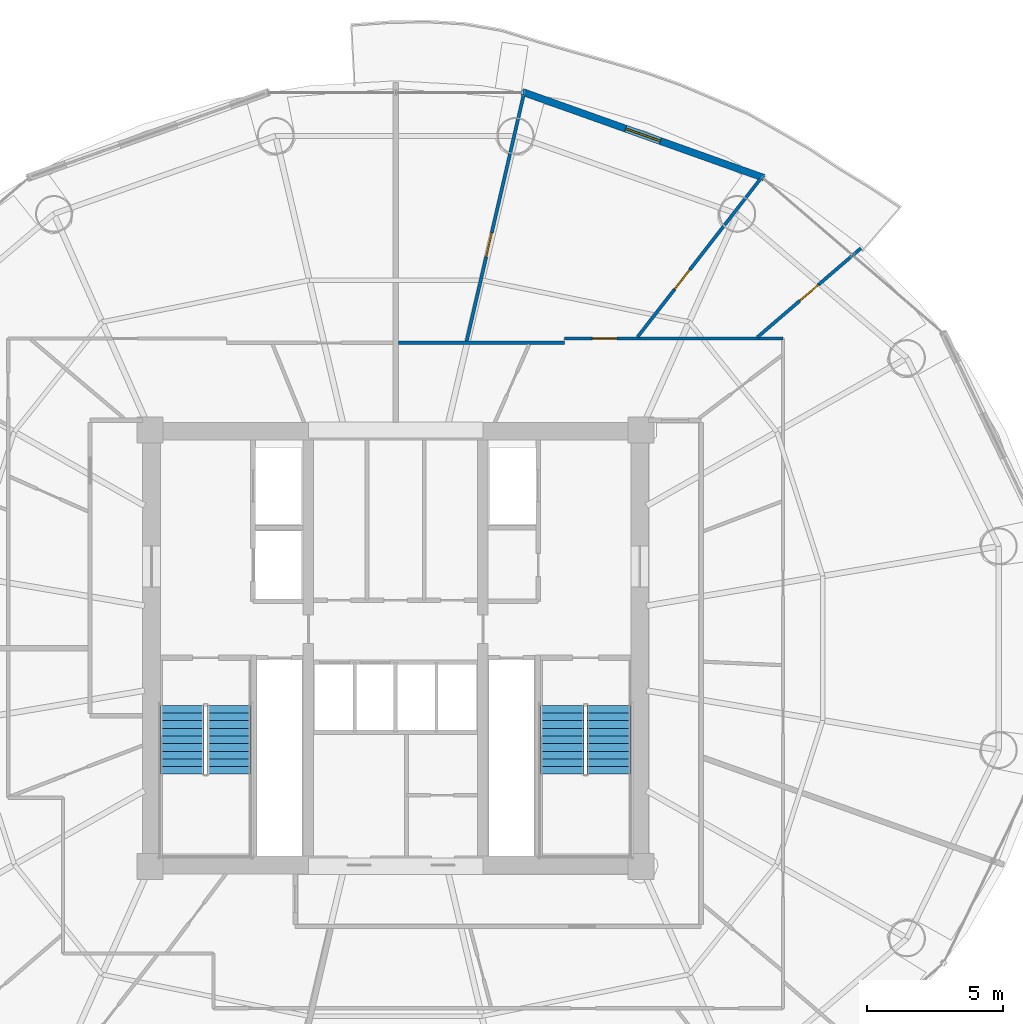
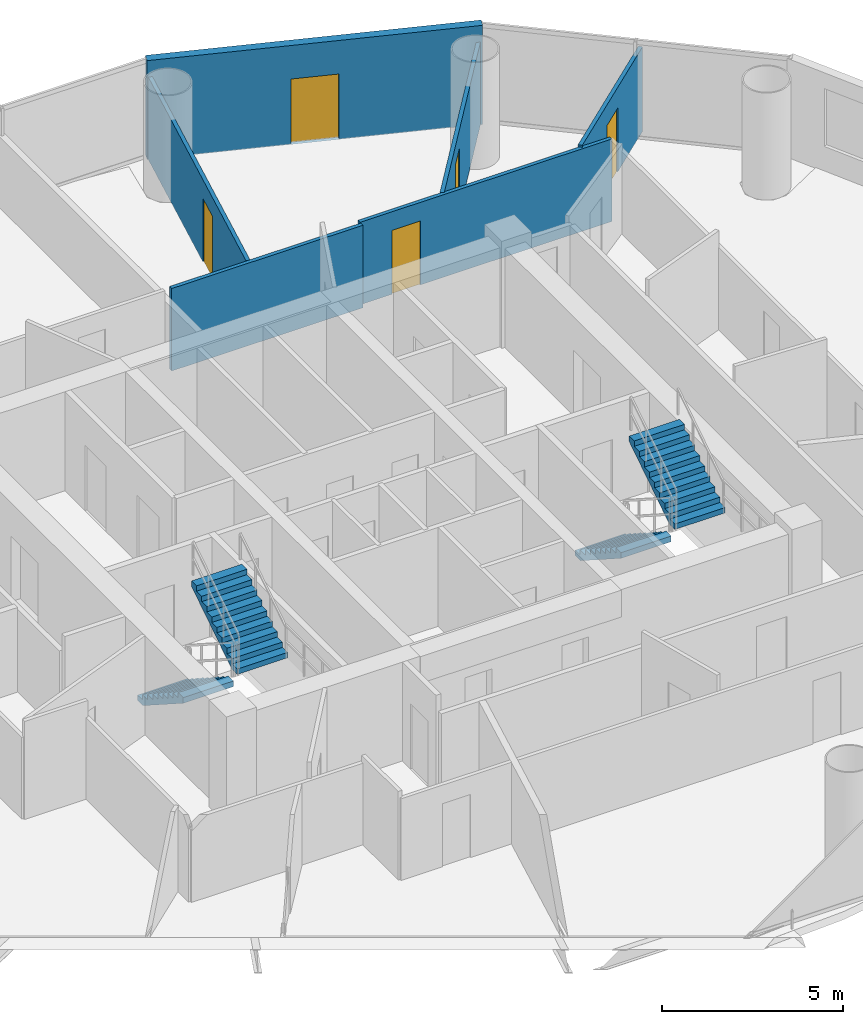
# One storey, part 23 of 26: 6 walls, 5 doors, 4 stair flights, 5 openings, 2 elements without a shape of their own.
"""IFC4 building model written with IfcOpenShell, lengths in metres."""

from ifc_helpers import new_model, si_unit, direction, frame, frame_2d, origin, place, context, subcontext, project, spatial, polyline, rectangle, outline, extrude, source, transform, mapped, material, layer, layer_set, type_object, element, fill, aggregate, save


model = new_model("IFC4")

# Units and contexts
model_context = context("Model", 3, precision=1e-05, world=origin(), true_north=direction((-0.2419218956, 0.970295726276)))
body_context = subcontext(model_context, "Body", "Model", "MODEL_VIEW")
ifc_project = project(units=[si_unit("LENGTHUNIT", "METRE"), si_unit("AREAUNIT", "SQUARE_METRE"), si_unit("VOLUMEUNIT", "CUBIC_METRE"), si_unit("PLANEANGLEUNIT", "RADIAN"), si_unit("MASSUNIT", "GRAM", prefix="KILO")], contexts=[model_context])

# Site, building, storey
site_placement = place(None, origin())
site = spatial("IfcSite", under=ifc_project, at=site_placement, CompositionType="ELEMENT")
building_placement = place(site_placement, origin())
building = spatial("IfcBuilding", under=site, at=building_placement, Name="Cobrevalo Terracotta Tower", CompositionType="ELEMENT")
storey_placement = place(building_placement, frame((0.0, 0.0, 178.60009765625)))
storey = spatial("IfcBuildingStorey", under=building, at=storey_placement, Name="L47", CompositionType="ELEMENT", Elevation=178.60009765625)

# Wall, opening, door
ifc_material_1 = material(Name="Autoclaved aerated concrete block", Category="concrete")
ifc_layer_1 = layer(ifc_material_1, 0.260009765625)
ifc_layer_set_1 = layer_set([ifc_layer_1], Name="Autoclaved aerated concrete block")
wall_type_1 = type_object("IfcWallType", Name="Recessed balcony loggia insulated exterior wall 260 mm", PredefinedType="SOLIDWALL", material=ifc_layer_set_1)
wall_1_placement = place(storey_placement, frame((51.50341796875, 44.042724609375, 0.0), z_axis=(0.0, 0.0, 1.0), x_axis=(-0.942095406405, 0.335344964522, 0.0)))
wall_1 = element("IfcWall", 1, at=wall_1_placement, inside=storey, type_object=wall_type_1, Name="L47 balcony loggia wall S03", PredefinedType="SOLIDWALL", context=body_context, shape_type="SweptSolid", body=[
    extrude(rectangle(XDim=9.408203125, YDim=0.260009765625, at=frame_2d((4.7041015625, 0.0))), origin(), (0.0, 0.0, 1.0), 3.329833984375),
])
opening_1_placement = place(wall_1_placement, frame((4.029052734375, 0.0, 0.0)))
opening_1 = element("IfcOpeningElement", 2, at=opening_1_placement, cuts=wall_1, Name="Opening ED-05", PredefinedType="OPENING", context=body_context, shape_type="SweptSolid", body=[
    extrude(rectangle(XDim=1.35009765625, YDim=2.199951171875, at=frame_2d((0.675048828125, 1.10009765625))), frame((0.0, 0.14013671875, 0.0), z_axis=(0.0, -1.0, 0.0), x_axis=(1.0, 0.0, 0.0)), (0.0, 0.0, 1.0), 0.280029296875),
])
ifc_material_2 = material(Name="Anodized aluminium and laminated glass", Category="aluminium")
door_type_1 = type_object("IfcDoorType", Name="Suite balcony acoustic glazed terrace door 1350x2200", OperationType="NOTDEFINED", PredefinedType="DOOR", material=ifc_material_2)
shared_shape_1 = source(origin(), body_context, "Body", "SweptSolid", [
    extrude(rectangle(XDim=1.35009765625, YDim=2.199951171875, at=frame_2d((0.675048828125, 1.10009765625))), frame((0.0, 0.02490234375, 0.0), z_axis=(0.0, -1.0, 0.0), x_axis=(1.0, 0.0, 0.0)), (0.0, 0.0, 1.0), 0.050048828125),
])
door_1_placement = place(opening_1_placement, frame((1.35009765625, 0.0, 0.0), z_axis=(0.0, 0.0, 1.0), x_axis=(-1.0, 0.0, 0.0)))
door_1 = element("IfcDoor", 3, at=door_1_placement, inside=storey, type_object=door_type_1, Name="L47 glazed balcony terrace door 1", OperationType="SINGLE_SWING_LEFT", OverallHeight=2.199951171875, OverallWidth=1.35009765625, PredefinedType="DOOR", context=body_context, shape_type="MappedRepresentation", body=[
    mapped(shared_shape_1, transform((0.0, 0.0, 0.0), scale=1.0)),
])
fill(opening_1, door_1)

# Wall
ifc_material_3 = material(Name="Gypsum board on steel stud", Category="steel")
ifc_layer_2 = layer(ifc_material_3, 0.1201171875)
ifc_layer_set_2 = layer_set([ifc_layer_2], Name="Gypsum board on steel stud")
wall_type_2 = type_object("IfcWallType", Name="Residential internal acoustic stud partition 120 mm", PredefinedType="PARTITIONING", material=ifc_layer_set_2)
wall_2_placement = place(storey_placement, frame((38.10205078125, 37.9951171875, 0.0), z_axis=(0.0, 0.0, 1.0), x_axis=(1.0, 0.0, 0.0)))
element("IfcWall", 4, at=wall_2_placement, inside=storey, type_object=wall_type_2, Name="L47 interior partition IW-L47-U1-RING0_0", PredefinedType="PARTITIONING", context=body_context, shape_type="SweptSolid", body=[
    extrude(rectangle(XDim=6.093017578125, YDim=0.1201171875, at=frame_2d((3.04638671875, 0.0))), origin(), (0.0, 0.0, 1.0), 2.77587890625),
])

# Wall, opening, door
wall_3_placement = place(storey_placement, frame((44.195068359375, 38.155029296875, 0.0), z_axis=(0.0, 0.0, 1.0), x_axis=(1.0, 0.0, 0.0)))
wall_3 = element("IfcWall", 5, at=wall_3_placement, inside=storey, type_object=wall_type_2, Name="L47 interior partition IW-L47-U1-RING2_0", PredefinedType="PARTITIONING", context=body_context, shape_type="SweptSolid", body=[
    extrude(rectangle(XDim=8.010009765625, YDim=0.1201171875, at=frame_2d((4.0048828125, 0.0))), origin(), (0.0, 0.0, 1.0), 2.77587890625),
])
opening_2_placement = place(wall_3_placement, frame((1.018310546875, 0.0, 0.0)))
opening_2 = element("IfcOpeningElement", 6, at=opening_2_placement, cuts=wall_3, Name="Opening ID-12", PredefinedType="OPENING", context=body_context, shape_type="SweptSolid", body=[
    extrude(rectangle(XDim=0.89990234375, YDim=2.14990234375, at=frame_2d((0.449951171875, 1.074951171875))), frame((0.0, 0.070068359375, 0.0), z_axis=(0.0, -1.0, 0.0), x_axis=(1.0, 0.0, 0.0)), (0.0, 0.0, 1.0), 0.14013671875),
])
ifc_material_4 = material(Name="Engineered timber", Category="wood")
door_type_2 = type_object("IfcDoorType", Name="Internal residence & suite timber door 900x2150", OperationType="NOTDEFINED", PredefinedType="DOOR", material=ifc_material_4)
shared_shape_2 = source(origin(), body_context, "Body", "SweptSolid", [
    extrude(rectangle(XDim=0.89990234375, YDim=2.14990234375, at=frame_2d((0.449951171875, 1.074951171875))), frame((0.0, 0.02490234375, 0.0), z_axis=(0.0, -1.0, 0.0), x_axis=(1.0, 0.0, 0.0)), (0.0, 0.0, 1.0), 0.050048828125),
])
door_2_placement = place(opening_2_placement, origin())
door_2 = element("IfcDoor", 7, at=door_2_placement, inside=storey, type_object=door_type_2, Name="Flat L47A Penthouse Family Lounge internal door", OperationType="SINGLE_SWING_LEFT", OverallHeight=2.14990234375, OverallWidth=0.89990234375, PredefinedType="DOOR", context=body_context, shape_type="MappedRepresentation", body=[
    mapped(shared_shape_2, transform((0.0, 0.0, 0.0), scale=1.0)),
])
fill(opening_2, door_2)

wall_4_placement = place(storey_placement, frame((51.258056640625, 38.1953125, 0.0), z_axis=(0.0, 0.0, 1.0), x_axis=(0.758369880373, 0.651824458381, 0.0)))
wall_4 = element("IfcWall", 8, at=wall_4_placement, inside=storey, type_object=wall_type_2, Name="L47 interior partition IW-L47-U1-ORAD1", PredefinedType="PARTITIONING", context=body_context, shape_type="SweptSolid", body=[
    extrude(rectangle(XDim=5.018310546875, YDim=0.1201171875, at=frame_2d((2.50927734375, 0.0))), origin(), (0.0, 0.0, 1.0), 2.845947265625),
])
opening_3_placement = place(wall_4_placement, frame((2.05908203125, 0.0, 0.0)))
opening_3 = element("IfcOpeningElement", 9, at=opening_3_placement, cuts=wall_4, Name="Opening ID-12", PredefinedType="OPENING", context=body_context, shape_type="SweptSolid", body=[
    extrude(rectangle(XDim=0.89990234375, YDim=2.14990234375, at=frame_2d((0.449951171875, 1.074951171875))), frame((0.0, 0.070068359375, 0.0), z_axis=(0.0, -1.0, 0.0), x_axis=(1.0, 0.0, 0.0)), (0.0, 0.0, 1.0), 0.14013671875),
])
door_3_placement = place(opening_3_placement, frame((0.89990234375, 0.0, 0.0), z_axis=(0.0, 0.0, 1.0), x_axis=(-1.0, 0.0, 0.0)))
door_3 = element("IfcDoor", 10, at=door_3_placement, inside=storey, type_object=door_type_2, Name="Flat L47A Penthouse Living and Dining Room internal door", OperationType="SINGLE_SWING_RIGHT", OverallHeight=2.14990234375, OverallWidth=0.89990234375, PredefinedType="DOOR", context=body_context, shape_type="MappedRepresentation", body=[
    mapped(shared_shape_2, transform((0.0, 0.0, 0.0), scale=1.0)),
])
fill(opening_3, door_3)

wall_5_placement = place(storey_placement, frame((46.865478515625, 38.203857421875, 0.0), z_axis=(0.0, 0.0, 1.0), x_axis=(0.613754405153, 0.789497010859, 0.0)))
wall_5 = element("IfcWall", 11, at=wall_5_placement, inside=storey, type_object=wall_type_2, Name="L47 interior partition IW-L47-U1-ORAD2M1", PredefinedType="PARTITIONING", context=body_context, shape_type="SweptSolid", body=[
    extrude(rectangle(XDim=7.35302734375, YDim=0.1201171875, at=frame_2d((3.676513671875, 0.0))), origin(), (0.0, 0.0, 1.0), 2.77587890625),
])
opening_4_placement = place(wall_5_placement, frame((2.2236328125, 0.0, 0.0)))
opening_4 = element("IfcOpeningElement", 12, at=opening_4_placement, cuts=wall_5, Name="Opening ID-12", PredefinedType="OPENING", context=body_context, shape_type="SweptSolid", body=[
    extrude(rectangle(XDim=0.89990234375, YDim=2.14990234375, at=frame_2d((0.449951171875, 1.074951171875))), frame((0.0, 0.070068359375, 0.0), z_axis=(0.0, -1.0, 0.0), x_axis=(1.0, 0.0, 0.0)), (0.0, 0.0, 1.0), 0.14013671875),
])
door_4_placement = place(opening_4_placement, frame((0.89990234375, 0.0, 0.0), z_axis=(0.0, 0.0, 1.0), x_axis=(-1.0, 0.0, 0.0)))
door_4 = element("IfcDoor", 13, at=door_4_placement, inside=storey, type_object=door_type_2, Name="Flat L47A Master Bedroom internal door", OperationType="SINGLE_SWING_LEFT", OverallHeight=2.14990234375, OverallWidth=0.89990234375, PredefinedType="DOOR", context=body_context, shape_type="MappedRepresentation", body=[
    mapped(shared_shape_2, transform((0.0, 0.0, 0.0), scale=1.0)),
])
fill(opening_4, door_4)

wall_6_placement = place(storey_placement, frame((40.604736328125, 38.055419921875, 0.0), z_axis=(0.0, 0.0, 1.0), x_axis=(0.225466493239, 0.974250922723, 0.0)))
wall_6 = element("IfcWall", 14, at=wall_6_placement, inside=storey, type_object=wall_type_2, Name="L47 interior partition IW-L47-U1-ORAD2M2", PredefinedType="PARTITIONING", context=body_context, shape_type="SweptSolid", body=[
    extrude(rectangle(XDim=9.281982421875, YDim=0.1201171875, at=frame_2d((4.64111328125, 0.0))), origin(), (0.0, 0.0, 1.0), 2.77587890625),
])
opening_5_placement = place(wall_6_placement, frame((3.181884765625, 0.0, 0.0)))
opening_5 = element("IfcOpeningElement", 15, at=opening_5_placement, cuts=wall_6, Name="Opening ID-12", PredefinedType="OPENING", context=body_context, shape_type="SweptSolid", body=[
    extrude(rectangle(XDim=0.89990234375, YDim=2.14990234375, at=frame_2d((0.449951171875, 1.074951171875))), frame((0.0, 0.070068359375, 0.0), z_axis=(0.0, -1.0, 0.0), x_axis=(1.0, 0.0, 0.0)), (0.0, 0.0, 1.0), 0.14013671875),
])
door_5_placement = place(opening_5_placement, origin())
door_5 = element("IfcDoor", 16, at=door_5_placement, inside=storey, type_object=door_type_2, Name="Flat L47A Penthouse Family Lounge internal door", OperationType="SINGLE_SWING_RIGHT", OverallHeight=2.14990234375, OverallWidth=0.89990234375, PredefinedType="DOOR", context=body_context, shape_type="MappedRepresentation", body=[
    mapped(shared_shape_2, transform((0.0, 0.0, 0.0), scale=1.0)),
])
fill(opening_5, door_5)

# Stair, stair flights
ifc_material_5 = material(Name="Concrete C50", Category="concrete")
stair_type = type_object("IfcStairType", Name="Core protected escape dogleg stair 1600", PredefinedType="HALF_TURN_STAIR", material=ifc_material_5)
stair_1_placement = place(storey_placement, origin())
stair_1 = element("IfcStair", 17, at=stair_1_placement, inside=storey, type_object=stair_type, Name="L47 Protected exit stair ST-1", PredefinedType="HALF_TURN_STAIR")
stair_flight_type = type_object("IfcStairFlightType", Name="Core protected escape dogleg stair 1600 flight", PredefinedType="STRAIGHT", material=ifc_material_5)
stair_flight_1_placement = place(storey_placement, frame((30.175048828125, 24.699951171875, 0.0), z_axis=(0.0, 0.0, 1.0), x_axis=(0.0, -1.0, 0.0)))
stair_flight_1 = element("IfcStairFlight", 18, at=stair_flight_1_placement, type_object=stair_flight_type, Name="ST-1 flight 1", NumberOfRisers=10, NumberOfTreads=9, PredefinedType="STRAIGHT", RiserHeight=0.18, TreadLength=0.28, context=body_context, shape_type="SweptSolid", body=[
    extrude(outline(polyline([(0.0, 0.0), (0.0, 0.179931640625), (0.280029296875, 0.179931640625), (0.280029296875, 0.360107421875), (0.56005859375, 0.360107421875), (0.56005859375, 0.5400390625), (0.840087890625, 0.5400390625), (0.840087890625, 0.719970703125), (1.1201171875, 0.719970703125), (1.1201171875, 0.89990234375), (1.39990234375, 0.89990234375), (1.39990234375, 1.080078125), (1.679931640625, 1.080078125), (1.679931640625, 1.260009765625), (1.9599609375, 1.260009765625), (1.9599609375, 1.43994140625), (2.239990234375, 1.43994140625), (2.239990234375, 1.6201171875), (2.52001953125, 1.6201171875), (2.52001953125, 1.800048828125), (2.52001953125, 1.429931640625), (0.295654296875, 0.0), (0.0, 0.0)])), frame((0.0, 0.800048828125, 0.0), z_axis=(0.0, -1.0, 0.0), x_axis=(1.0, 0.0, 0.0)), (0.0, 0.0, 1.0), 1.60009765625),
])
stair_flight_2_placement = place(storey_placement, frame((31.89501953125, 22.179931640625, 1.7998046875), z_axis=(0.0, 0.0, 1.0), x_axis=(0.0, 1.0, 0.0)))
stair_flight_2 = element("IfcStairFlight", 19, at=stair_flight_2_placement, type_object=stair_flight_type, Name="ST-1 flight 2", NumberOfRisers=10, NumberOfTreads=9, PredefinedType="STRAIGHT", RiserHeight=0.18, TreadLength=0.28, context=body_context, shape_type="SweptSolid", body=[
    extrude(outline(polyline([(0.0, 0.0), (0.0, 0.179931640625), (0.280029296875, 0.179931640625), (0.280029296875, 0.360107421875), (0.56005859375, 0.360107421875), (0.56005859375, 0.5400390625), (0.840087890625, 0.5400390625), (0.840087890625, 0.719970703125), (1.1201171875, 0.719970703125), (1.1201171875, 0.89990234375), (1.39990234375, 0.89990234375), (1.39990234375, 1.080078125), (1.679931640625, 1.080078125), (1.679931640625, 1.260009765625), (1.9599609375, 1.260009765625), (1.9599609375, 1.43994140625), (2.239990234375, 1.43994140625), (2.239990234375, 1.6201171875), (2.52001953125, 1.6201171875), (2.52001953125, 1.800048828125), (2.52001953125, 1.429931640625), (0.295654296875, 0.0), (0.0, 0.0)])), frame((0.0, 0.800048828125, 0.0), z_axis=(0.0, -1.0, 0.0), x_axis=(1.0, 0.0, 0.0)), (0.0, 0.0, 1.0), 1.60009765625),
])
aggregate(stair_1, [stair_flight_1, stair_flight_2])

stair_2_placement = place(storey_placement, origin())
stair_2 = element("IfcStair", 20, at=stair_2_placement, inside=storey, type_object=stair_type, Name="L47 Protected exit stair ST-2", PredefinedType="HALF_TURN_STAIR")
stair_flight_3_placement = place(storey_placement, frame((44.10498046875, 24.699951171875, 0.0), z_axis=(0.0, 0.0, 1.0), x_axis=(0.0, -1.0, 0.0)))
stair_flight_3 = element("IfcStairFlight", 21, at=stair_flight_3_placement, type_object=stair_flight_type, Name="ST-2 flight 1", NumberOfRisers=10, NumberOfTreads=9, PredefinedType="STRAIGHT", RiserHeight=0.18, TreadLength=0.28, context=body_context, shape_type="SweptSolid", body=[
    extrude(outline(polyline([(0.0, 0.0), (0.0, 0.179931640625), (0.280029296875, 0.179931640625), (0.280029296875, 0.360107421875), (0.56005859375, 0.360107421875), (0.56005859375, 0.5400390625), (0.840087890625, 0.5400390625), (0.840087890625, 0.719970703125), (1.1201171875, 0.719970703125), (1.1201171875, 0.89990234375), (1.39990234375, 0.89990234375), (1.39990234375, 1.080078125), (1.679931640625, 1.080078125), (1.679931640625, 1.260009765625), (1.9599609375, 1.260009765625), (1.9599609375, 1.43994140625), (2.239990234375, 1.43994140625), (2.239990234375, 1.6201171875), (2.52001953125, 1.6201171875), (2.52001953125, 1.800048828125), (2.52001953125, 1.429931640625), (0.295654296875, 0.0), (0.0, 0.0)])), frame((0.0, 0.800048828125, 0.0), z_axis=(0.0, -1.0, 0.0), x_axis=(1.0, 0.0, 0.0)), (0.0, 0.0, 1.0), 1.60009765625),
])
stair_flight_4_placement = place(storey_placement, frame((45.824951171875, 22.179931640625, 1.7998046875), z_axis=(0.0, 0.0, 1.0), x_axis=(0.0, 1.0, 0.0)))
stair_flight_4 = element("IfcStairFlight", 22, at=stair_flight_4_placement, type_object=stair_flight_type, Name="ST-2 flight 2", NumberOfRisers=10, NumberOfTreads=9, PredefinedType="STRAIGHT", RiserHeight=0.18, TreadLength=0.28, context=body_context, shape_type="SweptSolid", body=[
    extrude(outline(polyline([(0.0, 0.0), (0.0, 0.179931640625), (0.280029296875, 0.179931640625), (0.280029296875, 0.360107421875), (0.56005859375, 0.360107421875), (0.56005859375, 0.5400390625), (0.840087890625, 0.5400390625), (0.840087890625, 0.719970703125), (1.1201171875, 0.719970703125), (1.1201171875, 0.89990234375), (1.39990234375, 0.89990234375), (1.39990234375, 1.080078125), (1.679931640625, 1.080078125), (1.679931640625, 1.260009765625), (1.9599609375, 1.260009765625), (1.9599609375, 1.43994140625), (2.239990234375, 1.43994140625), (2.239990234375, 1.6201171875), (2.52001953125, 1.6201171875), (2.52001953125, 1.800048828125), (2.52001953125, 1.429931640625), (0.295654296875, 0.0), (0.0, 0.0)])), frame((0.0, 0.800048828125, 0.0), z_axis=(0.0, -1.0, 0.0), x_axis=(1.0, 0.0, 0.0)), (0.0, 0.0, 1.0), 1.60009765625),
])
aggregate(stair_2, [stair_flight_3, stair_flight_4])

save(model, "model.ifc")
